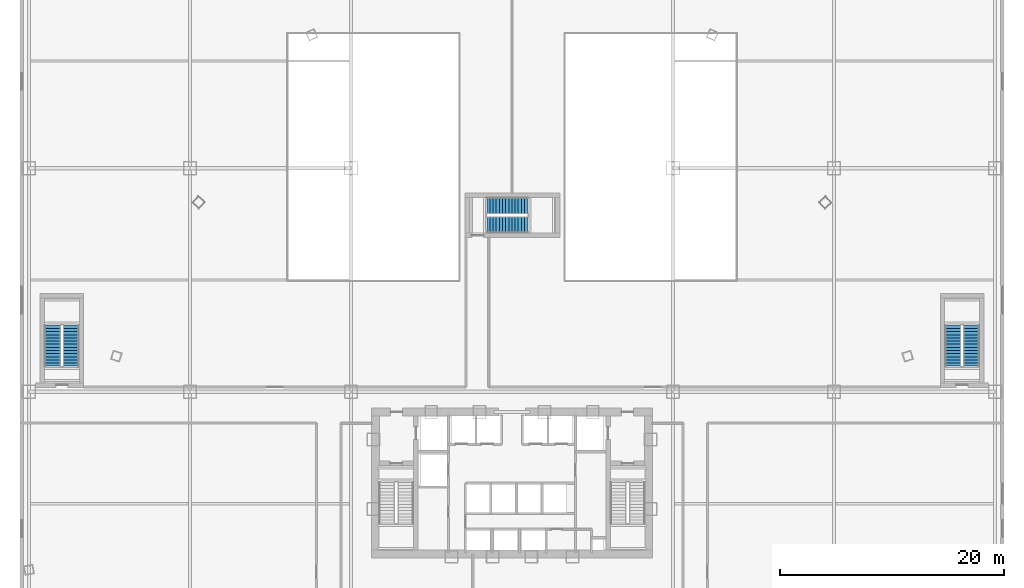
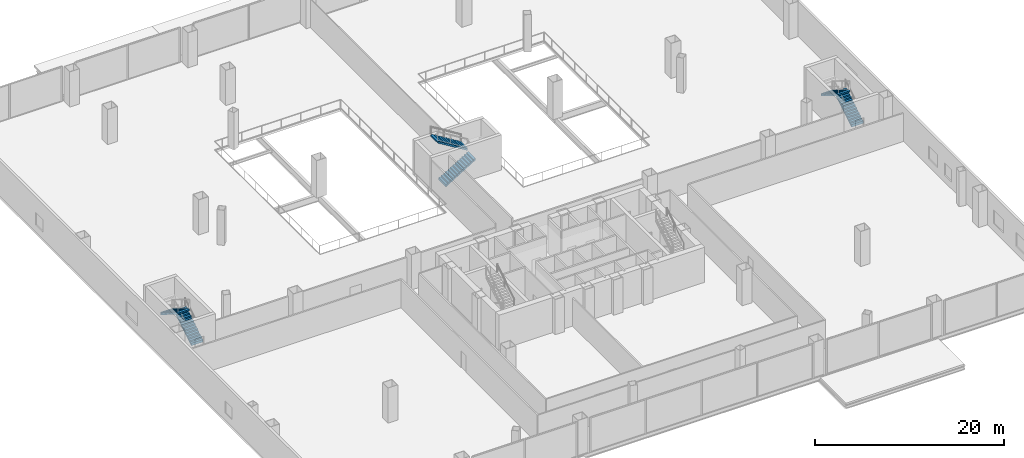
# One storey, part 36 of 42: 6 stair flights, 3 elements without a shape of their own.
"""IFC4 building model written with IfcOpenShell, lengths in metres."""

from ifc_helpers import new_model, si_unit, direction, frame, origin, place, context, subcontext, project, spatial, polyline, outline, extrude, source, transform, mapped, material, type_object, element, aggregate, save


model = new_model("IFC4")

# Units and contexts
model_context = context("Model", 3, precision=1e-05, world=origin(), true_north=direction((0.0, 1.0)))
body_context = subcontext(model_context, "Body", "Model", "MODEL_VIEW")
ifc_project = project(units=[si_unit("LENGTHUNIT", "METRE"), si_unit("AREAUNIT", "SQUARE_METRE"), si_unit("VOLUMEUNIT", "CUBIC_METRE"), si_unit("PLANEANGLEUNIT", "RADIAN"), si_unit("MASSUNIT", "GRAM", prefix="KILO"), si_unit("THERMODYNAMICTEMPERATUREUNIT", "KELVIN"), si_unit("POWERUNIT", "WATT")], contexts=[model_context])

# Site, building, storey
site_placement = place(None, origin())
site = spatial("IfcSite", under=ifc_project, at=site_placement, CompositionType="ELEMENT")
building_placement = place(site_placement, origin())
building = spatial("IfcBuilding", under=site, at=building_placement, Name="Yunzhuo Pagoda Commons", CompositionType="ELEMENT")
storey_placement = place(building_placement, frame((0.0, 0.0, 4.800048828125)))
storey = spatial("IfcBuildingStorey", under=building, at=storey_placement, Name="L02", CompositionType="ELEMENT", Elevation=4.800048828125)

# Stair, stair flights
ifc_material = material(Name="Concrete C40", Category="concrete")
stair_type_1 = type_object("IfcStairType", Name="ST-P3 Podium Exit Stair PS3", PredefinedType="HALF_TURN_STAIR", material=ifc_material)
stair_1_placement = place(storey_placement, origin())
stair_1 = element("IfcStair", 1, at=stair_1_placement, inside=storey, type_object=stair_type_1, Name="L02 Podium exit stair PS3", PredefinedType="HALF_TURN_STAIR")
stair_flight_type_1 = type_object("IfcStairFlightType", Name="STF-P3 Podium Stair Flight 1455", PredefinedType="STRAIGHT", material=ifc_material)
shared_shape_1 = source(origin(), body_context, "Body", "SweptSolid", [
    extrude(outline(polyline([(0.0, -0.14990234375), (0.0, 0.0), (0.0, 0.17138671875), (0.280029296875, 0.17138671875), (0.280029296875, 0.3427734375), (0.56005859375, 0.3427734375), (0.56005859375, 0.514404296875), (0.840087890625, 0.514404296875), (0.840087890625, 0.685791015625), (1.1201171875, 0.685791015625), (1.1201171875, 0.857177734375), (1.39990234375, 0.857177734375), (1.39990234375, 1.028564453125), (1.679931640625, 1.028564453125), (1.679931640625, 1.199951171875), (1.9599609375, 1.199951171875), (1.9599609375, 1.371337890625), (2.239990234375, 1.371337890625), (2.239990234375, 1.54296875), (2.52001953125, 1.54296875), (2.52001953125, 1.71435546875), (2.800048828125, 1.71435546875), (2.800048828125, 1.8857421875), (3.080078125, 1.8857421875), (3.080078125, 2.05712890625), (3.360107421875, 2.05712890625), (3.360107421875, 2.228515625), (3.639892578125, 2.228515625), (3.639892578125, 2.39990234375), (3.639892578125, 2.052734375), (0.287109375, 0.0), (0.050048828125, -0.14990234375), (0.0, -0.14990234375)])), frame((0.0, 0.72509765625, 0.0), z_axis=(0.0, -1.0, 0.0), x_axis=(1.0, 0.0, 0.0)), (0.0, 0.0, 1.0), 1.449951171875),
])
stair_flight_1_placement = place(storey_placement, frame((8.574951171875, 44.300048828125, 0.0), z_axis=(0.0, 0.0, 1.0), x_axis=(0.0, 1.0, 0.0)))
stair_flight_1 = element("IfcStairFlight", 2, at=stair_flight_1_placement, type_object=stair_flight_type_1, Name="PS3 flight 1", NumberOfRisers=14, NumberOfTreads=13, PredefinedType="STRAIGHT", RiserHeight=0.171428571, TreadLength=0.28, context=body_context, shape_type="MappedRepresentation", body=[
    mapped(shared_shape_1, transform((0.0, 0.0, 0.0), scale=1.0)),
])
stair_flight_2_placement = place(storey_placement, frame((6.925048828125, 47.93994140625, 2.39990234375), z_axis=(0.0, 0.0, 1.0), x_axis=(0.0, -1.0, 0.0)))
stair_flight_2 = element("IfcStairFlight", 3, at=stair_flight_2_placement, type_object=stair_flight_type_1, Name="PS3 flight 2", NumberOfRisers=14, NumberOfTreads=13, PredefinedType="STRAIGHT", RiserHeight=0.171428571, TreadLength=0.28, context=body_context, shape_type="MappedRepresentation", body=[
    mapped(shared_shape_1, transform((0.0, 0.0, 0.0), scale=1.0)),
])
aggregate(stair_1, [stair_flight_1, stair_flight_2])

stair_type_2 = type_object("IfcStairType", Name="ST-P4 Podium Exit Stair PS4", PredefinedType="HALF_TURN_STAIR", material=ifc_material)
stair_2_placement = place(storey_placement, origin())
stair_2 = element("IfcStair", 4, at=stair_2_placement, inside=storey, type_object=stair_type_2, Name="L02 Podium exit stair PS4", PredefinedType="HALF_TURN_STAIR")
stair_flight_type_2 = type_object("IfcStairFlightType", Name="STF-P4 Podium Stair Flight 1465", PredefinedType="STRAIGHT", material=ifc_material)
stair_flight_3_placement = place(storey_placement, frame((89.074951171875, 44.300048828125, 0.0), z_axis=(0.0, 0.0, 1.0), x_axis=(0.0, 1.0, 0.0)))
stair_flight_3 = element("IfcStairFlight", 5, at=stair_flight_3_placement, type_object=stair_flight_type_2, Name="PS4 flight 1", NumberOfRisers=14, NumberOfTreads=13, PredefinedType="STRAIGHT", RiserHeight=0.171428571, TreadLength=0.28, context=body_context, shape_type="MappedRepresentation", body=[
    mapped(shared_shape_1, transform((0.0, 0.0, 0.0), scale=1.0)),
])
stair_flight_4_placement = place(storey_placement, frame((87.425048828125, 47.93994140625, 2.39990234375), z_axis=(0.0, 0.0, 1.0), x_axis=(0.0, -1.0, 0.0)))
stair_flight_4 = element("IfcStairFlight", 6, at=stair_flight_4_placement, type_object=stair_flight_type_2, Name="PS4 flight 2", NumberOfRisers=14, NumberOfTreads=13, PredefinedType="STRAIGHT", RiserHeight=0.171428571, TreadLength=0.28, context=body_context, shape_type="MappedRepresentation", body=[
    mapped(shared_shape_1, transform((0.0, 0.0, 0.0), scale=1.0)),
])
aggregate(stair_2, [stair_flight_3, stair_flight_4])

stair_type_3 = type_object("IfcStairType", Name="ST-C3 North Tower Smokeproof Stair ST3", PredefinedType="HALF_TURN_STAIR", material=ifc_material)
stair_3_placement = place(storey_placement, origin())
stair_3 = element("IfcStair", 7, at=stair_3_placement, inside=storey, type_object=stair_type_3, Name="L02 North tower smokeproof stair ST3", PredefinedType="HALF_TURN_STAIR")
stair_flight_type_3 = type_object("IfcStairFlightType", Name="STF-C3 North Stair Flight 1500", PredefinedType="STRAIGHT", material=ifc_material)
shared_shape_2 = source(origin(), body_context, "Body", "SweptSolid", [
    extrude(outline(polyline([(0.0, -0.14990234375), (0.0, 0.0), (0.0, 0.17138671875), (0.280029296875, 0.17138671875), (0.280029296875, 0.3427734375), (0.56005859375, 0.3427734375), (0.56005859375, 0.514404296875), (0.840087890625, 0.514404296875), (0.840087890625, 0.685791015625), (1.1201171875, 0.685791015625), (1.1201171875, 0.857177734375), (1.39990234375, 0.857177734375), (1.39990234375, 1.028564453125), (1.679931640625, 1.028564453125), (1.679931640625, 1.199951171875), (1.9599609375, 1.199951171875), (1.9599609375, 1.371337890625), (2.239990234375, 1.371337890625), (2.239990234375, 1.54296875), (2.52001953125, 1.54296875), (2.52001953125, 1.71435546875), (2.800048828125, 1.71435546875), (2.800048828125, 1.8857421875), (3.080078125, 1.8857421875), (3.080078125, 2.05712890625), (3.360107421875, 2.05712890625), (3.360107421875, 2.228515625), (3.639892578125, 2.228515625), (3.639892578125, 2.39990234375), (3.639892578125, 2.052734375), (0.287109375, 0.0), (0.050048828125, -0.14990234375), (0.0, -0.14990234375)])), frame((0.0, 0.75, 0.0), z_axis=(0.0, -1.0, 0.0), x_axis=(1.0, 0.0, 0.0)), (0.0, 0.0, 1.0), 1.5),
])
stair_flight_5_placement = place(storey_placement, frame((45.75, 56.949951171875, 0.0), z_axis=(0.0, 0.0, 1.0), x_axis=(1.0, 0.0, 0.0)))
stair_flight_5 = element("IfcStairFlight", 8, at=stair_flight_5_placement, type_object=stair_flight_type_3, Name="ST3 flight 1", NumberOfRisers=14, NumberOfTreads=13, PredefinedType="STRAIGHT", RiserHeight=0.171428571, TreadLength=0.28, context=body_context, shape_type="MappedRepresentation", body=[
    mapped(shared_shape_2, transform((0.0, 0.0, 0.0), scale=1.0)),
])
stair_flight_6_placement = place(storey_placement, frame((49.389892578125, 58.64990234375, 2.39990234375), z_axis=(0.0, 0.0, 1.0), x_axis=(-1.0, 0.0, 0.0)))
stair_flight_6 = element("IfcStairFlight", 9, at=stair_flight_6_placement, type_object=stair_flight_type_3, Name="ST3 flight 2", NumberOfRisers=14, NumberOfTreads=13, PredefinedType="STRAIGHT", RiserHeight=0.171428571, TreadLength=0.28, context=body_context, shape_type="MappedRepresentation", body=[
    mapped(shared_shape_2, transform((0.0, 0.0, 0.0), scale=1.0)),
])
aggregate(stair_3, [stair_flight_5, stair_flight_6])

save(model, "model.ifc")
